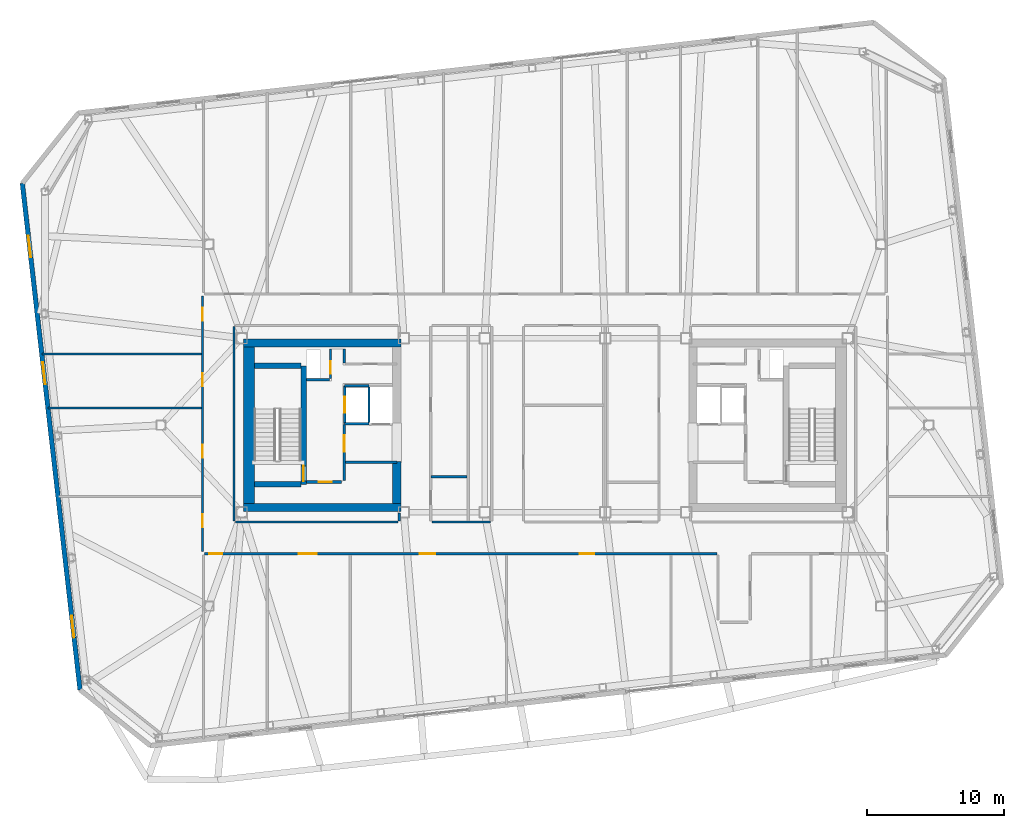
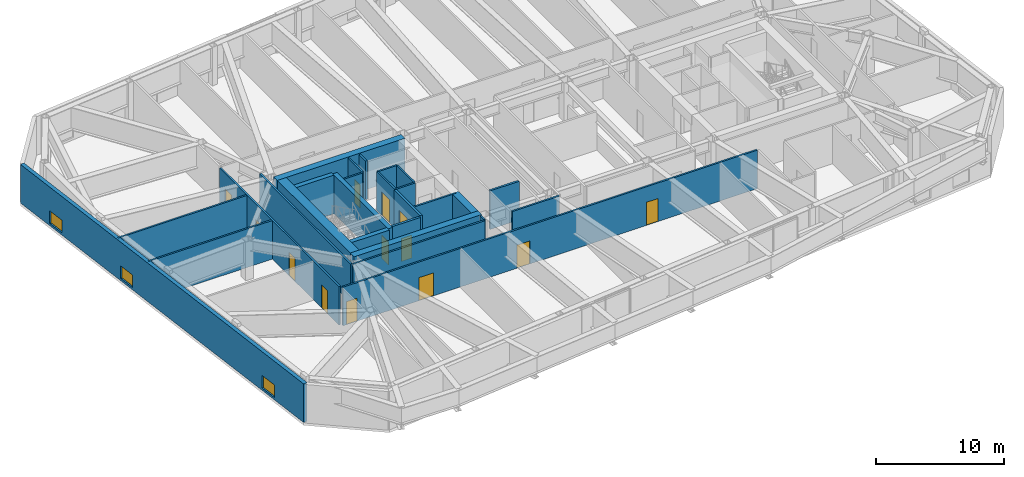
# One storey, part 12 of 18: 27 walls, 13 doors, 3 windows, 16 openings.
"""IFC4 building model written with IfcOpenShell, lengths in metres."""

from ifc_helpers import new_model, si_unit, direction, frame, frame_2d, origin, place, context, subcontext, project, spatial, rectangle, extrude, material, layer, layer_set, type_object, element, fill, save


model = new_model("IFC4")

# Units and contexts
model_context = context("Model", 3, precision=1e-05, world=origin(), true_north=direction((0.0, 1.0)))
body_context = subcontext(model_context, "Body", "Model", "MODEL_VIEW")
ifc_project = project(units=[si_unit("LENGTHUNIT", "METRE"), si_unit("AREAUNIT", "SQUARE_METRE"), si_unit("VOLUMEUNIT", "CUBIC_METRE"), si_unit("PLANEANGLEUNIT", "RADIAN"), si_unit("MASSUNIT", "GRAM", prefix="KILO")], contexts=[model_context])

# Site, building, storey
site_placement = place(None, origin())
site = spatial("IfcSite", under=ifc_project, at=site_placement, CompositionType="ELEMENT")
building_placement = place(site_placement, origin())
building = spatial("IfcBuilding", under=site, at=building_placement, Name="Tavrogorsk Clinical Tower", CompositionType="ELEMENT")
storey_placement = place(building_placement, frame((0.0, 0.0, 267.0)))
storey = spatial("IfcBuildingStorey", under=building, at=storey_placement, Name="L62", CompositionType="ELEMENT", Elevation=267.0)

# Wall, opening, door
ifc_material_1 = material(Name="Concrete B60", Category="concrete")
ifc_layer_1 = layer(ifc_material_1, 0.199951171875)
ifc_layer_set_1 = layer_set([ifc_layer_1], Name="Concrete B60")
wall_type_1 = type_object("IfcWallType", Name="CoreFireWall_200", PredefinedType="SOLIDWALL", material=ifc_layer_set_1)
wall_1_placement = place(storey_placement, frame((-17.3798828125, -4.139892578125, 0.0), z_axis=(0.0, 0.0, 1.0), x_axis=(1.0, 0.0, 0.0)))
wall_1 = element("IfcWall", 1, at=wall_1_placement, inside=storey, type_object=wall_type_1, Name="L62 Core West South Core Room Fire Wall", PredefinedType="SOLIDWALL", context=body_context, shape_type="SweptSolid", body=[
    extrude(rectangle(XDim=2.554931640625, YDim=0.199951171875, at=frame_2d((1.27734375, 0.0))), origin(), (0.0, 0.0, 1.0), 3.679931640625),
])
opening_1_placement = place(wall_1_placement, frame((0.8798828125, 0.0, 0.0)))
opening_1 = element("IfcOpeningElement", 2, at=opening_1_placement, cuts=wall_1, Name="Opening ID-02", PredefinedType="OPENING", context=body_context, shape_type="SweptSolid", body=[
    extrude(rectangle(XDim=0.949951171875, YDim=2.199951171875, at=frame_2d((0.47509765625, 1.10009765625))), frame((0.0, 0.10986328125, 0.0), z_axis=(0.0, -1.0, 0.0), x_axis=(1.0, 0.0, 0.0)), (0.0, 0.0, 1.0), 0.219970703125),
])
ifc_material_2 = material(Name="Laminated timber leaf on aluminium frame", Category="wood")
door_type_1 = type_object("IfcDoorType", Name="InteriorDoor_ID02_950", OperationType="NOTDEFINED", PredefinedType="DOOR", material=ifc_material_2)
door_1_placement = place(opening_1_placement, origin())
door_1 = element("IfcDoor", 3, at=door_1_placement, inside=storey, type_object=door_type_1, Name="L62 Core West South Core Room Door", OperationType="SINGLE_SWING_RIGHT", OverallHeight=2.199951171875, OverallWidth=0.949951171875, PredefinedType="DOOR", context=body_context, shape_type="SweptSolid", body=[
    extrude(rectangle(XDim=0.949951171875, YDim=2.199951171875, at=frame_2d((0.47509765625, 1.10009765625))), frame((0.0, 0.02490234375, 0.0), z_axis=(0.0, -1.0, 0.0), x_axis=(1.0, 0.0, 0.0)), (0.0, 0.0, 1.0), 0.050048828125),
])
fill(opening_1, door_1)

wall_2_placement = place(storey_placement, frame((-14.639892578125, -4.034912109375, 0.0), z_axis=(0.0, 0.0, 1.0), x_axis=(0.0, 1.0, 0.0)))
wall_2 = element("IfcWall", 4, at=wall_2_placement, inside=storey, type_object=wall_type_1, Name="L62 Core West Firefighting Lobby Fire Wall", PredefinedType="SOLIDWALL", context=body_context, shape_type="SweptSolid", body=[
    extrude(rectangle(XDim=4.074951171875, YDim=0.199951171875, at=frame_2d((2.03759765625, 0.0))), origin(), (0.0, 0.0, 1.0), 3.679931640625),
])
opening_2_placement = place(wall_2_placement, frame((2.090087890625, 0.0, 0.0)))
opening_2 = element("IfcOpeningElement", 5, at=opening_2_placement, cuts=wall_2, Name="Opening FD-01", PredefinedType="OPENING", context=body_context, shape_type="SweptSolid", body=[
    extrude(rectangle(XDim=1.199951171875, YDim=2.199951171875, at=frame_2d((0.60009765625, 1.10009765625))), frame((0.0, 0.10986328125, 0.0), z_axis=(0.0, -1.0, 0.0), x_axis=(1.0, 0.0, 0.0)), (0.0, 0.0, 1.0), 0.219970703125),
])
ifc_material_3 = material(Name="Galvanised steel fire-rated door assembly", Category="steel")
door_type_2 = type_object("IfcDoorType", Name="FireDoor_FD01_1200", OperationType="NOTDEFINED", PredefinedType="DOOR", material=ifc_material_3)
door_2_placement = place(opening_2_placement, origin())
door_2 = element("IfcDoor", 6, at=door_2_placement, inside=storey, type_object=door_type_2, Name="L62 Core West Firefighting Lobby Entry Door", OperationType="SINGLE_SWING_RIGHT", OverallHeight=2.199951171875, OverallWidth=1.199951171875, PredefinedType="DOOR", context=body_context, shape_type="SweptSolid", body=[
    extrude(rectangle(XDim=1.199951171875, YDim=2.199951171875, at=frame_2d((0.60009765625, 1.10009765625))), frame((0.0, 0.02490234375, 0.0), z_axis=(0.0, -1.0, 0.0), x_axis=(1.0, 0.0, 0.0)), (0.0, 0.0, 1.0), 0.050048828125),
])
fill(opening_2, door_2)

# Walls
ifc_material_4 = material(Name="Lightweight concrete blockwork B15", Category="masonry")
ifc_layer_2 = layer(ifc_material_4, 0.159912109375)
ifc_layer_set_2 = layer_set([ifc_layer_2], Name="Lightweight concrete blockwork B15")
wall_type_2 = type_object("IfcWallType", Name="PartitionWall_160", PredefinedType="PARTITIONING", material=ifc_layer_set_2)
wall_3_placement = place(storey_placement, frame((-14.534912109375, -2.699951171875, 0.0), z_axis=(0.0, 0.0, 1.0), x_axis=(1.0, 0.0, 0.0)))
element("IfcWall", 7, at=wall_3_placement, inside=storey, type_object=wall_type_2, Name="L62 Core West Freed Mid-Bank North Partition", PredefinedType="PARTITIONING", context=body_context, shape_type="SweptSolid", body=[
    extrude(rectangle(XDim=3.73486328125, YDim=0.159912109375, at=frame_2d((1.867431640625, 0.0))), origin(), (0.0, 0.0, 1.0), 3.679931640625),
])
wall_4_placement = place(storey_placement, frame((-14.639892578125, 4.544921875, 0.0), z_axis=(0.0, 0.0, 1.0), x_axis=(0.0, 1.0, 0.0)))
element("IfcWall", 8, at=wall_4_placement, inside=storey, type_object=wall_type_2, Name="L62 Core West Pneumatic Dispatch East Wall", PredefinedType="PARTITIONING", context=body_context, shape_type="SweptSolid", body=[
    extrude(rectangle(XDim=1.01513671875, YDim=0.159912109375, at=frame_2d((0.507568359375, 0.0))), origin(), (0.0, 0.0, 1.0), 3.679931640625),
])

# Wall, openings, doors
wall_5_placement = place(storey_placement, frame((-24.97998046875, -9.215087890625, 0.0), z_axis=(0.0, 0.0, 1.0), x_axis=(0.0, 1.0, 0.0)))
wall_5 = element("IfcWall", 9, at=wall_5_placement, inside=storey, type_object=wall_type_2, Name="L62 Corridor Partition 01", PredefinedType="PARTITIONING", context=body_context, shape_type="SweptSolid", body=[
    extrude(rectangle(XDim=18.630126953125, YDim=0.159912109375, at=frame_2d((9.31494140625, 0.0))), origin(), (0.0, 0.0, 1.0), 3.679931640625),
])
opening_3_placement = place(wall_5_placement, frame((1.76904296875, 0.0, 0.0)))
opening_3 = element("IfcOpeningElement", 10, at=opening_3_placement, cuts=wall_5, Name="Opening ID-02", PredefinedType="OPENING", context=body_context, shape_type="SweptSolid", body=[
    extrude(rectangle(XDim=0.949951171875, YDim=2.199951171875, at=frame_2d((0.47509765625, 1.10009765625))), frame((0.0, 0.08984375, 0.0), z_axis=(0.0, -1.0, 0.0), x_axis=(1.0, 0.0, 0.0)), (0.0, 0.0, 1.0), 0.179931640625),
])
opening_4_placement = place(wall_5_placement, frame((6.85009765625, 0.0, 0.0)))
opening_4 = element("IfcOpeningElement", 11, at=opening_4_placement, cuts=wall_5, Name="Opening ID-02", PredefinedType="OPENING", context=body_context, shape_type="SweptSolid", body=[
    extrude(rectangle(XDim=0.949951171875, YDim=2.199951171875, at=frame_2d((0.47509765625, 1.10009765625))), frame((0.0, 0.08984375, 0.0), z_axis=(0.0, -1.0, 0.0), x_axis=(1.0, 0.0, 0.0)), (0.0, 0.0, 1.0), 0.179931640625),
])
opening_5_placement = place(wall_5_placement, frame((12.050048828125, 0.0, 0.0)))
opening_5 = element("IfcOpeningElement", 12, at=opening_5_placement, cuts=wall_5, Name="Opening ID-02", PredefinedType="OPENING", context=body_context, shape_type="SweptSolid", body=[
    extrude(rectangle(XDim=0.949951171875, YDim=2.199951171875, at=frame_2d((0.47509765625, 1.10009765625))), frame((0.0, 0.08984375, 0.0), z_axis=(0.0, -1.0, 0.0), x_axis=(1.0, 0.0, 0.0)), (0.0, 0.0, 1.0), 0.179931640625),
])
opening_6_placement = place(wall_5_placement, frame((16.82080078125, 0.0, 0.0)))
opening_6 = element("IfcOpeningElement", 13, at=opening_6_placement, cuts=wall_5, Name="Opening ID-02", PredefinedType="OPENING", context=body_context, shape_type="SweptSolid", body=[
    extrude(rectangle(XDim=0.949951171875, YDim=2.199951171875, at=frame_2d((0.47509765625, 1.10009765625))), frame((0.0, 0.08984375, 0.0), z_axis=(0.0, -1.0, 0.0), x_axis=(1.0, 0.0, 0.0)), (0.0, 0.0, 1.0), 0.179931640625),
])
door_3_placement = place(opening_3_placement, origin())
door_3 = element("IfcDoor", 14, at=door_3_placement, inside=storey, type_object=door_type_1, Name="L62 W Solarium Day Room & Lounge 1 Door", OperationType="SINGLE_SWING_RIGHT", OverallHeight=2.199951171875, OverallWidth=0.949951171875, PredefinedType="DOOR", context=body_context, shape_type="SweptSolid", body=[
    extrude(rectangle(XDim=0.949951171875, YDim=2.199951171875, at=frame_2d((0.47509765625, 1.10009765625))), frame((0.0, 0.02490234375, 0.0), z_axis=(0.0, -1.0, 0.0), x_axis=(1.0, 0.0, 0.0)), (0.0, 0.0, 1.0), 0.050048828125),
])
fill(opening_3, door_3)
door_4_placement = place(opening_4_placement, origin())
door_4 = element("IfcDoor", 15, at=door_4_placement, inside=storey, type_object=door_type_1, Name="L62 W Rehabilitation Therapy Suite 2 Door", OperationType="SINGLE_SWING_LEFT", OverallHeight=2.199951171875, OverallWidth=0.949951171875, PredefinedType="DOOR", context=body_context, shape_type="SweptSolid", body=[
    extrude(rectangle(XDim=0.949951171875, YDim=2.199951171875, at=frame_2d((0.47509765625, 1.10009765625))), frame((0.0, 0.02490234375, 0.0), z_axis=(0.0, -1.0, 0.0), x_axis=(1.0, 0.0, 0.0)), (0.0, 0.0, 1.0), 0.050048828125),
])
fill(opening_4, door_4)
door_5_placement = place(opening_5_placement, origin())
door_5 = element("IfcDoor", 16, at=door_5_placement, inside=storey, type_object=door_type_1, Name="L62 W Sub-Acute Observation Suite 3 Door", OperationType="SINGLE_SWING_RIGHT", OverallHeight=2.199951171875, OverallWidth=0.949951171875, PredefinedType="DOOR", context=body_context, shape_type="SweptSolid", body=[
    extrude(rectangle(XDim=0.949951171875, YDim=2.199951171875, at=frame_2d((0.47509765625, 1.10009765625))), frame((0.0, 0.02490234375, 0.0), z_axis=(0.0, -1.0, 0.0), x_axis=(1.0, 0.0, 0.0)), (0.0, 0.0, 1.0), 0.050048828125),
])
fill(opening_5, door_5)
door_6_placement = place(opening_6_placement, origin())
door_6 = element("IfcDoor", 17, at=door_6_placement, inside=storey, type_object=door_type_1, Name="L62 W Family Consultation Lounge 4 Door", OperationType="SINGLE_SWING_LEFT", OverallHeight=2.199951171875, OverallWidth=0.949951171875, PredefinedType="DOOR", context=body_context, shape_type="SweptSolid", body=[
    extrude(rectangle(XDim=0.949951171875, YDim=2.199951171875, at=frame_2d((0.47509765625, 1.10009765625))), frame((0.0, 0.02490234375, 0.0), z_axis=(0.0, -1.0, 0.0), x_axis=(1.0, 0.0, 0.0)), (0.0, 0.0, 1.0), 0.050048828125),
])
fill(opening_6, door_6)

wall_6_placement = place(storey_placement, frame((12.534912109375, -9.3798828125, 0.0), z_axis=(0.0, 0.0, 1.0), x_axis=(-1.0, 0.0, 0.0)))
wall_6 = element("IfcWall", 18, at=wall_6_placement, inside=storey, type_object=wall_type_2, Name="L62 Corridor Partition 08", PredefinedType="PARTITIONING", context=body_context, shape_type="SweptSolid", body=[
    extrude(rectangle(XDim=37.349853515625, YDim=0.159912109375, at=frame_2d((18.6748046875, 0.0))), origin(), (0.0, 0.0, 1.0), 3.679931640625),
])
opening_7_placement = place(wall_6_placement, frame((36.0859375, 0.0, 0.0)))
opening_7 = element("IfcOpeningElement", 19, at=opening_7_placement, cuts=wall_6, Name="Opening ID-02", PredefinedType="OPENING", context=body_context, shape_type="SweptSolid", body=[
    extrude(rectangle(XDim=0.949951171875, YDim=2.199951171875, at=frame_2d((0.47509765625, 1.10009765625))), frame((0.0, 0.08984375, 0.0), z_axis=(0.0, -1.0, 0.0), x_axis=(1.0, 0.0, 0.0)), (0.0, 0.0, 1.0), 0.179931640625),
])
opening_8_placement = place(wall_6_placement, frame((29.195068359375, 0.0, 0.0)))
opening_8 = element("IfcOpeningElement", 20, at=opening_8_placement, cuts=wall_6, Name="Opening ID-01", PredefinedType="OPENING", context=body_context, shape_type="SweptSolid", body=[
    extrude(rectangle(XDim=1.300048828125, YDim=2.199951171875, at=frame_2d((0.64990234375, 1.10009765625))), frame((0.0, 0.08984375, 0.0), z_axis=(0.0, -1.0, 0.0), x_axis=(1.0, 0.0, 0.0)), (0.0, 0.0, 1.0), 0.179931640625),
])
opening_9_placement = place(wall_6_placement, frame((20.52490234375, 0.0, 0.0)))
opening_9 = element("IfcOpeningElement", 21, at=opening_9_placement, cuts=wall_6, Name="Opening ID-06", PredefinedType="OPENING", context=body_context, shape_type="SweptSolid", body=[
    extrude(rectangle(XDim=1.14990234375, YDim=2.199951171875, at=frame_2d((0.574951171875, 1.10009765625))), frame((0.0, 0.08984375, 0.0), z_axis=(0.0, -1.0, 0.0), x_axis=(1.0, 0.0, 0.0)), (0.0, 0.0, 1.0), 0.179931640625),
])
opening_10_placement = place(wall_6_placement, frame((8.945068359375, 0.0, 0.0)))
opening_10 = element("IfcOpeningElement", 22, at=opening_10_placement, cuts=wall_6, Name="Opening ID-04", PredefinedType="OPENING", context=body_context, shape_type="SweptSolid", body=[
    extrude(rectangle(XDim=1.050048828125, YDim=2.199951171875, at=frame_2d((0.52490234375, 1.10009765625))), frame((0.0, 0.08984375, 0.0), z_axis=(0.0, -1.0, 0.0), x_axis=(1.0, 0.0, 0.0)), (0.0, 0.0, 1.0), 0.179931640625),
])
ifc_material_5 = material(Name="Antibacterial HPL consultation door on aluminium frame", Category="aluminium")
door_type_3 = type_object("IfcDoorType", Name="ConsultDoor_ID04_1050", OperationType="NOTDEFINED", PredefinedType="DOOR", material=ifc_material_5)
door_7_placement = place(opening_10_placement, origin())
door_7 = element("IfcDoor", 23, at=door_7_placement, inside=storey, type_object=door_type_3, Name="L62 South Outpatient Procedure Suite 04 Door", OperationType="SINGLE_SWING_LEFT", OverallHeight=2.199951171875, OverallWidth=1.050048828125, PredefinedType="DOOR", context=body_context, shape_type="SweptSolid", body=[
    extrude(rectangle(XDim=1.050048828125, YDim=2.199951171875, at=frame_2d((0.52490234375, 1.10009765625))), frame((0.0, 0.02490234375, 0.0), z_axis=(0.0, -1.0, 0.0), x_axis=(1.0, 0.0, 0.0)), (0.0, 0.0, 1.0), 0.050048828125),
])
fill(opening_10, door_7)
door_8_placement = place(opening_7_placement, origin())
door_8 = element("IfcDoor", 24, at=door_8_placement, inside=storey, type_object=door_type_1, Name="L62 South Attending Physician Office 01 Door", OperationType="SINGLE_SWING_RIGHT", OverallHeight=2.199951171875, OverallWidth=0.949951171875, PredefinedType="DOOR", context=body_context, shape_type="SweptSolid", body=[
    extrude(rectangle(XDim=0.949951171875, YDim=2.199951171875, at=frame_2d((0.47509765625, 1.10009765625))), frame((0.0, 0.02490234375, 0.0), z_axis=(0.0, -1.0, 0.0), x_axis=(1.0, 0.0, 0.0)), (0.0, 0.0, 1.0), 0.050048828125),
])
fill(opening_7, door_8)
ifc_material_6 = material(Name="Antibacterial HPL procedure door on aluminium frame", Category="aluminium")
door_type_4 = type_object("IfcDoorType", Name="LabDoor_ID06_1150", OperationType="NOTDEFINED", PredefinedType="DOOR", material=ifc_material_6)
door_9_placement = place(opening_9_placement, origin())
door_9 = element("IfcDoor", 25, at=door_9_placement, inside=storey, type_object=door_type_4, Name="L62 South Clean Medication & Prep Room 03 Door", OperationType="SINGLE_SWING_RIGHT", OverallHeight=2.199951171875, OverallWidth=1.14990234375, PredefinedType="DOOR", context=body_context, shape_type="SweptSolid", body=[
    extrude(rectangle(XDim=1.14990234375, YDim=2.199951171875, at=frame_2d((0.574951171875, 1.10009765625))), frame((0.0, 0.02490234375, 0.0), z_axis=(0.0, -1.0, 0.0), x_axis=(1.0, 0.0, 0.0)), (0.0, 0.0, 1.0), 0.050048828125),
])
fill(opening_9, door_9)
ifc_material_7 = material(Name="Antibacterial HPL medical leaf on aluminium frame", Category="aluminium")
door_type_5 = type_object("IfcDoorType", Name="WardBedDoor_ID01_1300", OperationType="NOTDEFINED", PredefinedType="DOOR", material=ifc_material_7)
door_10_placement = place(opening_8_placement, origin())
door_10 = element("IfcDoor", 26, at=door_10_placement, inside=storey, type_object=door_type_5, Name="L62 South Acute Medical Ward 02 Door", OperationType="SINGLE_SWING_LEFT", OverallHeight=2.199951171875, OverallWidth=1.300048828125, PredefinedType="DOOR", context=body_context, shape_type="SweptSolid", body=[
    extrude(rectangle(XDim=1.300048828125, YDim=2.199951171875, at=frame_2d((0.64990234375, 1.10009765625))), frame((0.0, 0.02490234375, 0.0), z_axis=(0.0, -1.0, 0.0), x_axis=(1.0, 0.0, 0.0)), (0.0, 0.0, 1.0), 0.050048828125),
])
fill(opening_8, door_10)

# Walls
wall_7_placement = place(storey_placement, frame((-8.235107421875, -7.070068359375, 0.0), z_axis=(0.0, 0.0, 1.0), x_axis=(1.0, 0.0, 0.0)))
element("IfcWall", 27, at=wall_7_placement, inside=storey, type_object=wall_type_2, Name="L62 Corridor Partition 21", PredefinedType="PARTITIONING", context=body_context, shape_type="SweptSolid", body=[
    extrude(rectangle(XDim=4.27001953125, YDim=0.159912109375, at=frame_2d((2.135009765625, 0.0))), origin(), (0.0, 0.0, 1.0), 3.679931640625),
])
wall_8_placement = place(storey_placement, frame((-10.6298828125, -6.985107421875, 0.0), z_axis=(0.0, 0.0, 1.0), x_axis=(0.0, 1.0, 0.0)))
element("IfcWall", 28, at=wall_8_placement, inside=storey, type_object=wall_type_2, Name="L62 Corridor Partition 22", PredefinedType="PARTITIONING", context=body_context, shape_type="SweptSolid", body=[
    extrude(rectangle(XDim=0.565185546875, YDim=0.159912109375, at=frame_2d((0.28271484375, 0.0))), origin(), (0.0, 0.0, 1.0), 3.679931640625),
])
wall_9_placement = place(storey_placement, frame((-22.669921875, 7.18505859375, 0.0), z_axis=(0.0, 0.0, 1.0), x_axis=(0.0, -1.0, 0.0)))
element("IfcWall", 29, at=wall_9_placement, inside=storey, type_object=wall_type_2, Name="L62 Corridor Partition 25", PredefinedType="PARTITIONING", context=body_context, shape_type="SweptSolid", body=[
    extrude(rectangle(XDim=14.170166015625, YDim=0.159912109375, at=frame_2d((7.0849609375, 0.0))), origin(), (0.0, 0.0, 1.0), 3.679931640625),
])
wall_10_placement = place(storey_placement, frame((-22.5849609375, -7.070068359375, 0.0), z_axis=(0.0, 0.0, 1.0), x_axis=(1.0, 0.0, 0.0)))
element("IfcWall", 30, at=wall_10_placement, inside=storey, type_object=wall_type_2, Name="L62 Corridor Partition 26", PredefinedType="PARTITIONING", context=body_context, shape_type="SweptSolid", body=[
    extrude(rectangle(XDim=11.869873046875, YDim=0.159912109375, at=frame_2d((5.93505859375, 0.0))), origin(), (0.0, 0.0, 1.0), 3.679931640625),
])
wall_11_placement = place(storey_placement, frame((-36.2294921875, 1.25, 0.0), z_axis=(0.0, 0.0, 1.0), x_axis=(1.0, 0.0, 0.0)))
element("IfcWall", 31, at=wall_11_placement, inside=storey, type_object=wall_type_2, Name="L62 W Wing Divider 2", PredefinedType="PARTITIONING", context=body_context, shape_type="SweptSolid", body=[
    extrude(rectangle(XDim=11.16455078125, YDim=0.159912109375, at=frame_2d((5.582275390625, 0.0))), origin(), (0.0, 0.0, 1.0), 3.679931640625),
])
wall_12_placement = place(storey_placement, frame((-36.679443359375, 5.199951171875, 0.0), z_axis=(0.0, 0.0, 1.0), x_axis=(1.0, 0.0, 0.0)))
element("IfcWall", 32, at=wall_12_placement, inside=storey, type_object=wall_type_2, Name="L62 W Wing Divider 3", PredefinedType="PARTITIONING", context=body_context, shape_type="SweptSolid", body=[
    extrude(rectangle(XDim=11.614501953125, YDim=0.159912109375, at=frame_2d((5.80712890625, 0.0))), origin(), (0.0, 0.0, 1.0), 3.679931640625),
])
ifc_material_8 = material(Name="Lightweight concrete blockwork B20", Category="masonry")
ifc_layer_3 = layer(ifc_material_8, 0.179931640625)
ifc_layer_set_3 = layer_set([ifc_layer_3], Name="Lightweight concrete blockwork B20")
wall_type_3 = type_object("IfcWallType", Name="PartitionWall_180", PredefinedType="PARTITIONING", material=ifc_layer_set_3)
wall_13_placement = place(storey_placement, frame((-8.31494140625, -3.75, 0.0), z_axis=(0.0, 0.0, 1.0), x_axis=(1.0, 0.0, 0.0)))
element("IfcWall", 33, at=wall_13_placement, inside=storey, type_object=wall_type_3, Name="L62 Central Spine Partition 4", PredefinedType="PARTITIONING", context=body_context, shape_type="SweptSolid", body=[
    extrude(rectangle(XDim=2.619873046875, YDim=0.179931640625, at=frame_2d((1.31005859375, 0.0))), origin(), (0.0, 0.0, 1.0), 3.679931640625),
])

# Wall, openings, windows
ifc_material_9 = material(Name="Precast concrete B45 with limestone cladding", Category="masonry")
ifc_layer_4 = layer(ifc_material_9, 0.340087890625)
ifc_layer_set_4 = layer_set([ifc_layer_4], Name="Precast concrete B45 with limestone cladding")
wall_type_4 = type_object("IfcWallType", Name="PrecastLimestoneWall_340", PredefinedType="STANDARD", material=ifc_layer_set_4)
wall_14_placement = place(storey_placement, frame((-38.1181640625, 17.65087890625, 0.0), z_axis=(0.0, 0.0, 1.0), x_axis=(0.11320360501, -0.9935718111, 0.0)))
wall_14 = element("IfcWall", 34, at=wall_14_placement, inside=storey, type_object=wall_type_4, Name="L62 W Pleated Limestone Wing Wall", PredefinedType="STANDARD", context=body_context, shape_type="SweptSolid", body=[
    extrude(rectangle(XDim=37.199951171875, YDim=0.340087890625, at=frame_2d((18.60009765625, 0.0))), origin(), (0.0, 0.0, 1.0), 3.679931640625),
])
opening_11_placement = place(wall_14_placement, frame((3.85009765625, 0.0, 0.219970703125)))
opening_11 = element("IfcOpeningElement", 35, at=opening_11_placement, cuts=wall_14, Name="Opening WN-09", PredefinedType="OPENING", context=body_context, shape_type="SweptSolid", body=[
    extrude(rectangle(XDim=1.60009765625, YDim=1.199951171875, at=frame_2d((0.800048828125, 0.60009765625))), frame((0.0, 0.179931640625, 0.0), z_axis=(0.0, -1.0, 0.0), x_axis=(1.0, 0.0, 0.0)), (0.0, 0.0, 1.0), 0.360107421875),
])
opening_12_placement = place(wall_14_placement, frame((13.14990234375, 0.0, 0.219970703125)))
opening_12 = element("IfcOpeningElement", 36, at=opening_12_placement, cuts=wall_14, Name="Opening WN-09", PredefinedType="OPENING", context=body_context, shape_type="SweptSolid", body=[
    extrude(rectangle(XDim=1.60009765625, YDim=1.199951171875, at=frame_2d((0.800048828125, 0.60009765625))), frame((0.0, 0.179931640625, 0.0), z_axis=(0.0, -1.0, 0.0), x_axis=(1.0, 0.0, 0.0)), (0.0, 0.0, 1.0), 0.360107421875),
])
opening_13_placement = place(wall_14_placement, frame((31.75, 0.0, 0.219970703125)))
opening_13 = element("IfcOpeningElement", 37, at=opening_13_placement, cuts=wall_14, Name="Opening WN-09", PredefinedType="OPENING", context=body_context, shape_type="SweptSolid", body=[
    extrude(rectangle(XDim=1.60009765625, YDim=1.199951171875, at=frame_2d((0.800048828125, 0.60009765625))), frame((0.0, 0.179931640625, 0.0), z_axis=(0.0, -1.0, 0.0), x_axis=(1.0, 0.0, 0.0)), (0.0, 0.0, 1.0), 0.360107421875),
])
ifc_material_10 = material(Name="Thermally broken aluminium frame and triple IGU", Category="aluminium")
window_type = type_object("IfcWindowType", Name="LowHeadTransWin_1600x1200", PartitioningType="DOUBLE_PANEL_VERTICAL", PredefinedType="WINDOW", material=ifc_material_10)
window_1_placement = place(opening_11_placement, origin())
window_1 = element("IfcWindow", 38, at=window_1_placement, inside=storey, type_object=window_type, Name="L62 W Pleat Slot Window 1", OverallHeight=1.199951171875, OverallWidth=1.60009765625, PartitioningType="SINGLE_PANEL", PredefinedType="WINDOW", context=body_context, shape_type="SweptSolid", body=[
    extrude(rectangle(XDim=1.60009765625, YDim=1.199951171875, at=frame_2d((0.800048828125, 0.60009765625))), frame((0.0, 0.030029296875, 0.0), z_axis=(0.0, -1.0, 0.0), x_axis=(1.0, 0.0, 0.0)), (0.0, 0.0, 1.0), 0.06005859375),
])
fill(opening_11, window_1)
window_2_placement = place(opening_12_placement, origin())
window_2 = element("IfcWindow", 39, at=window_2_placement, inside=storey, type_object=window_type, Name="L62 W Pleat Slot Window 2", OverallHeight=1.199951171875, OverallWidth=1.60009765625, PartitioningType="SINGLE_PANEL", PredefinedType="WINDOW", context=body_context, shape_type="SweptSolid", body=[
    extrude(rectangle(XDim=1.60009765625, YDim=1.199951171875, at=frame_2d((0.800048828125, 0.60009765625))), frame((0.0, 0.030029296875, 0.0), z_axis=(0.0, -1.0, 0.0), x_axis=(1.0, 0.0, 0.0)), (0.0, 0.0, 1.0), 0.06005859375),
])
fill(opening_12, window_2)
window_3_placement = place(opening_13_placement, origin())
window_3 = element("IfcWindow", 40, at=window_3_placement, inside=storey, type_object=window_type, Name="L62 W Pleat Slot Window 4", OverallHeight=1.199951171875, OverallWidth=1.60009765625, PartitioningType="SINGLE_PANEL", PredefinedType="WINDOW", context=body_context, shape_type="SweptSolid", body=[
    extrude(rectangle(XDim=1.60009765625, YDim=1.199951171875, at=frame_2d((0.800048828125, 0.60009765625))), frame((0.0, 0.030029296875, 0.0), z_axis=(0.0, -1.0, 0.0), x_axis=(1.0, 0.0, 0.0)), (0.0, 0.0, 1.0), 0.06005859375),
])
fill(opening_13, window_3)

# Wall, opening, door
ifc_material_11 = material(Name="Lightweight concrete blockwork B25", Category="masonry")
ifc_layer_5 = layer(ifc_material_11, 0.159912109375)
ifc_layer_set_5 = layer_set([ifc_layer_5], Name="Lightweight concrete blockwork B25")
wall_type_5 = type_object("IfcWallType", Name="ShaftWall_160", PredefinedType="PARTITIONING", material=ifc_layer_set_5)
wall_15_placement = place(storey_placement, frame((-14.60009765625, 0.1201171875, 0.0), z_axis=(0.0, 0.0, 1.0), x_axis=(0.0, 1.0, 0.0)))
wall_15 = element("IfcWall", 41, at=wall_15_placement, inside=storey, type_object=wall_type_5, Name="L62 FFL-W Firefighting Lift Front Wall", PredefinedType="PARTITIONING", context=body_context, shape_type="SweptSolid", body=[
    extrude(rectangle(XDim=2.739990234375, YDim=0.159912109375, at=frame_2d((1.3701171875, 0.0))), origin(), (0.0, 0.0, 1.0), 3.679931640625),
])
opening_14_placement = place(wall_15_placement, frame((0.77001953125, 0.0, 0.0)))
opening_14 = element("IfcOpeningElement", 42, at=opening_14_placement, cuts=wall_15, Name="Opening LD", PredefinedType="OPENING", context=body_context, shape_type="SweptSolid", body=[
    extrude(rectangle(XDim=1.199951171875, YDim=2.199951171875, at=frame_2d((0.60009765625, 1.10009765625))), frame((0.0, 0.08984375, 0.0), z_axis=(0.0, -1.0, 0.0), x_axis=(1.0, 0.0, 0.0)), (0.0, 0.0, 1.0), 0.179931640625),
])
ifc_material_12 = material(Name="Brushed stainless steel AISI 304 sliding doors", Category="steel")
door_type_6 = type_object("IfcDoorType", Name="LiftLandingDoor_LD_1200", OperationType="SLIDING_TO_LEFT", PredefinedType="DOOR", material=ifc_material_12)
door_11_placement = place(opening_14_placement, origin())
door_11 = element("IfcDoor", 43, at=door_11_placement, inside=storey, type_object=door_type_6, Name="L62 FFL-W Sliding Lift Landing Door", OperationType="SLIDING_TO_LEFT", OverallHeight=2.199951171875, OverallWidth=1.199951171875, PredefinedType="DOOR", context=body_context, shape_type="SweptSolid", body=[
    extrude(rectangle(XDim=1.199951171875, YDim=2.199951171875, at=frame_2d((0.60009765625, 1.10009765625))), frame((0.0, 0.02490234375, 0.0), z_axis=(0.0, -1.0, 0.0), x_axis=(1.0, 0.0, 0.0)), (0.0, 0.0, 1.0), 0.050048828125),
])
fill(opening_14, door_11)

# Walls
for number, where, z_axis, x_axis, name in (
    (44, (-14.60009765625, 0.10009765625, 0.0), (0.0, 0.0, 1.0), (1.0, 0.0, 0.0), "L62 FFL-W Shaft South Wall"),
    (45, (-14.60009765625, 2.8798828125, 0.0), (0.0, 0.0, 1.0), (1.0, 0.0, 0.0), "L62 FFL-W Shaft North Wall"),
):
    element("IfcWall", number, at=place(storey_placement, frame(where, z_axis=z_axis, x_axis=x_axis)), inside=storey, type_object=wall_type_5, Name=name, PredefinedType="PARTITIONING", context=body_context, shape_type="SweptSolid", body=[
        extrude(rectangle(XDim=1.760009765625, YDim=0.159912109375, at=frame_2d((0.8798828125, 0.0))), origin(), (0.0, 0.0, 1.0), 3.679931640625),
    ])
wall_16_placement = place(storey_placement, frame((-12.840087890625, 0.179931640625, 0.0), z_axis=(0.0, 0.0, 1.0), x_axis=(0.0, 1.0, 0.0)))
element("IfcWall", 46, at=wall_16_placement, inside=storey, type_object=wall_type_5, Name="L62 FFL-W Shaft Back Wall", PredefinedType="PARTITIONING", context=body_context, shape_type="SweptSolid", body=[
    extrude(rectangle(XDim=2.6201171875, YDim=0.159912109375, at=frame_2d((1.31005859375, 0.0))), origin(), (0.0, 0.0, 1.0), 3.679931640625),
])

# Wall, opening, door
wall_17_placement = place(storey_placement, frame((-15.639892578125, 3.405029296875, 0.0), z_axis=(0.0, 0.0, 1.0), x_axis=(0.0, 1.0, 0.0)))
wall_17 = element("IfcWall", 47, at=wall_17_placement, inside=storey, type_object=wall_type_5, Name="L62 Core West Riser West Wall", PredefinedType="PARTITIONING", context=body_context, shape_type="SweptSolid", body=[
    extrude(rectangle(XDim=2.155029296875, YDim=0.159912109375, at=frame_2d((1.07763671875, 0.0))), origin(), (0.0, 0.0, 1.0), 3.679931640625),
])
opening_15_placement = place(wall_17_placement, frame((0.35009765625, 0.0, 0.0)))
opening_15 = element("IfcOpeningElement", 48, at=opening_15_placement, cuts=wall_17, Name="Opening FD-02", PredefinedType="OPENING", context=body_context, shape_type="SweptSolid", body=[
    extrude(rectangle(XDim=0.89990234375, YDim=2.199951171875, at=frame_2d((0.449951171875, 1.10009765625))), frame((0.0, 0.08984375, 0.0), z_axis=(0.0, -1.0, 0.0), x_axis=(1.0, 0.0, 0.0)), (0.0, 0.0, 1.0), 0.179931640625),
])
ifc_material_13 = material(Name="Galvanised steel fire-rated door assembly", Category="steel")
door_type_7 = type_object("IfcDoorType", Name="FireDoor_FD02_900", OperationType="NOTDEFINED", PredefinedType="DOOR", material=ifc_material_13)
door_12_placement = place(opening_15_placement, origin())
door_12 = element("IfcDoor", 49, at=door_12_placement, inside=storey, type_object=door_type_7, Name="L62 Core West Electrical Riser Access Door", OperationType="SINGLE_SWING_LEFT", OverallHeight=2.199951171875, OverallWidth=0.89990234375, PredefinedType="DOOR", context=body_context, shape_type="SweptSolid", body=[
    extrude(rectangle(XDim=0.89990234375, YDim=2.199951171875, at=frame_2d((0.449951171875, 1.10009765625))), frame((0.0, 0.02490234375, 0.0), z_axis=(0.0, -1.0, 0.0), x_axis=(1.0, 0.0, 0.0)), (0.0, 0.0, 1.0), 0.050048828125),
])
fill(opening_15, door_12)

# Wall
wall_18_placement = place(storey_placement, frame((-17.3798828125, 3.320068359375, 0.0), z_axis=(0.0, 0.0, 1.0), x_axis=(1.0, 0.0, 0.0)))
element("IfcWall", 50, at=wall_18_placement, inside=storey, type_object=wall_type_5, Name="L62 Core West Riser South Wall", PredefinedType="PARTITIONING", context=body_context, shape_type="SweptSolid", body=[
    extrude(rectangle(XDim=1.65478515625, YDim=0.159912109375, at=frame_2d((0.827392578125, 0.0))), origin(), (0.0, 0.0, 1.0), 3.679931640625),
])

# Wall, opening, door
ifc_material_14 = material(Name="Concrete B80", Category="concrete")
ifc_layer_6 = layer(ifc_material_14, 0.39990234375)
ifc_layer_set_6 = layer_set([ifc_layer_6], Name="Concrete B80")
wall_type_6 = type_object("IfcWallType", Name="ShearWall_400", PredefinedType="SHEAR", material=ifc_layer_set_6)
wall_19_placement = place(storey_placement, frame((-17.60009765625, -4.324951171875, 0.0), z_axis=(0.0, 0.0, 1.0), x_axis=(0.0, 1.0, 0.0)))
wall_19 = element("IfcWall", 51, at=wall_19_placement, inside=storey, type_object=wall_type_6, Name="L62 Core West Stair Shaft Inner Shear Wall", PredefinedType="SHEAR", context=body_context, shape_type="SweptSolid", body=[
    extrude(rectangle(XDim=8.64990234375, YDim=0.39990234375, at=frame_2d((4.324951171875, 0.0))), origin(), (0.0, 0.0, 1.0), 3.679931640625),
])
opening_16_placement = place(wall_19_placement, frame((0.25, 0.0, 0.0)))
opening_16 = element("IfcOpeningElement", 52, at=opening_16_placement, cuts=wall_19, Name="Opening SD-01", PredefinedType="OPENING", context=body_context, shape_type="SweptSolid", body=[
    extrude(rectangle(XDim=1.10009765625, YDim=2.199951171875, at=frame_2d((0.550048828125, 1.10009765625))), frame((0.0, 0.2099609375, 0.0), z_axis=(0.0, -1.0, 0.0), x_axis=(1.0, 0.0, 0.0)), (0.0, 0.0, 1.0), 0.419921875),
])
ifc_material_15 = material(Name="Galvanised steel smoke-tight fire door assembly", Category="steel")
door_type_8 = type_object("IfcDoorType", Name="StairFireDoor_SD01_1100", OperationType="NOTDEFINED", PredefinedType="DOOR", material=ifc_material_15)
door_13_placement = place(opening_16_placement, origin())
door_13 = element("IfcDoor", 53, at=door_13_placement, inside=storey, type_object=door_type_8, Name="L62 ST-W Exit Stair Door", OperationType="SINGLE_SWING_LEFT", OverallHeight=2.199951171875, OverallWidth=1.10009765625, PredefinedType="DOOR", context=body_context, shape_type="SweptSolid", body=[
    extrude(rectangle(XDim=1.10009765625, YDim=2.199951171875, at=frame_2d((0.550048828125, 1.10009765625))), frame((0.0, 0.02490234375, 0.0), z_axis=(0.0, -1.0, 0.0), x_axis=(1.0, 0.0, 0.0)), (0.0, 0.0, 1.0), 0.050048828125),
])
fill(opening_16, door_13)

# Walls
for number, where, z_axis, x_axis, name in (
    (54, (-21.199951171875, -4.324951171875, 0.0), (0.0, 0.0, 1.0), (1.0, 0.0, 0.0), "L62 Core West Stair Shaft South Shear Wall"),
    (55, (-21.199951171875, 4.324951171875, 0.0), (0.0, 0.0, 1.0), (1.0, 0.0, 0.0), "L62 Core West Stair Shaft North Shear Wall"),
):
    element("IfcWall", number, at=place(storey_placement, frame(where, z_axis=z_axis, x_axis=x_axis)), inside=storey, type_object=wall_type_6, Name=name, PredefinedType="SHEAR", context=body_context, shape_type="SweptSolid", body=[
        extrude(rectangle(XDim=3.39990234375, YDim=0.39990234375, at=frame_2d((1.699951171875, 0.0))), origin(), (0.0, 0.0, 1.0), 3.679931640625),
    ])
ifc_material_16 = material(Name="Concrete B80", Category="concrete")
ifc_layer_7 = layer(ifc_material_16, 0.60009765625)
ifc_layer_set_7 = layer_set([ifc_layer_7], Name="Concrete B80")
wall_type_7 = type_object("IfcWallType", Name="ShearWall_600", PredefinedType="SHEAR", material=ifc_layer_set_7)
for number, where, z_axis, x_axis, name in (
    (56, (-22.0, 6.0, 0.0), (0.0, 0.0, 1.0), (1.0, 0.0, 0.0), "L62 Core West North Shear Wall"),
    (57, (-22.0, -6.0, 0.0), (0.0, 0.0, 1.0), (1.0, 0.0, 0.0), "L62 Core West South Shear Wall"),
):
    element("IfcWall", number, at=place(storey_placement, frame(where, z_axis=z_axis, x_axis=x_axis)), inside=storey, type_object=wall_type_7, Name=name, PredefinedType="SHEAR", context=body_context, shape_type="SweptSolid", body=[
        extrude(rectangle(XDim=11.5, YDim=0.60009765625, at=frame_2d((5.75, 0.0))), origin(), (0.0, 0.0, 1.0), 3.679931640625),
    ])
wall_20_placement = place(storey_placement, frame((-10.800048828125, -5.699951171875, 0.0), z_axis=(0.0, 0.0, 1.0), x_axis=(0.0, 1.0, 0.0)))
element("IfcWall", 58, at=wall_20_placement, inside=storey, type_object=wall_type_7, Name="L62 Core West Inner South Pier", PredefinedType="SHEAR", context=body_context, shape_type="SweptSolid", body=[
    extrude(rectangle(XDim=3.050048828125, YDim=0.60009765625, at=frame_2d((1.52490234375, 0.0))), origin(), (0.0, 0.0, 1.0), 3.679931640625),
])
ifc_material_17 = material(Name="Concrete B80", Category="concrete")
ifc_layer_8 = layer(ifc_material_17, 0.800048828125)
ifc_layer_set_8 = layer_set([ifc_layer_8], Name="Concrete B80")
wall_type_8 = type_object("IfcWallType", Name="ShearWall_800", PredefinedType="SHEAR", material=ifc_layer_set_8)
wall_21_placement = place(storey_placement, frame((-21.60009765625, -5.699951171875, 0.0), z_axis=(0.0, 0.0, 1.0), x_axis=(0.0, 1.0, 0.0)))
element("IfcWall", 59, at=wall_21_placement, inside=storey, type_object=wall_type_8, Name="L62 Core West End Shear Wall", PredefinedType="SHEAR", context=body_context, shape_type="SweptSolid", body=[
    extrude(rectangle(XDim=11.39990234375, YDim=0.800048828125, at=frame_2d((5.699951171875, 0.0))), origin(), (0.0, 0.0, 1.0), 3.679931640625),
])

save(model, "model.ifc")
